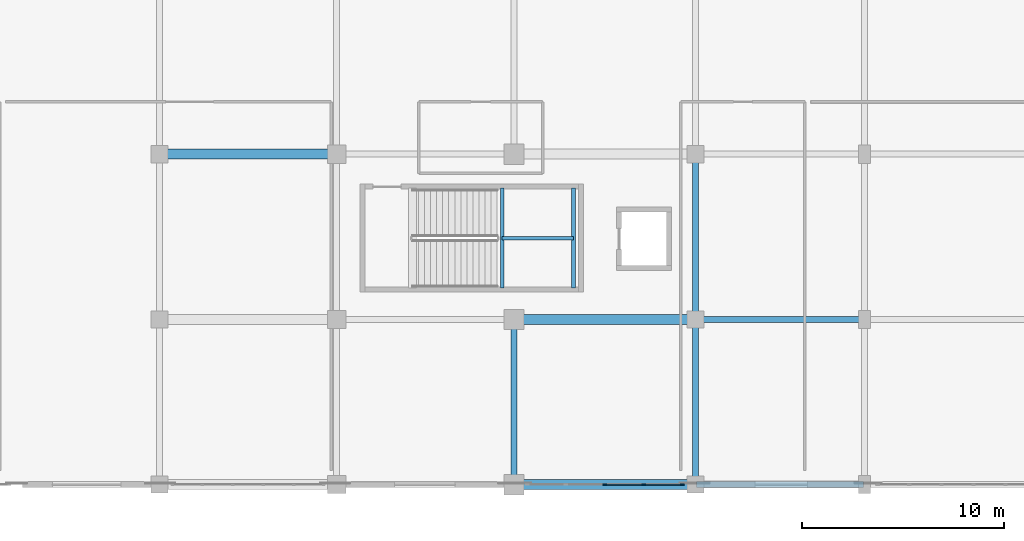
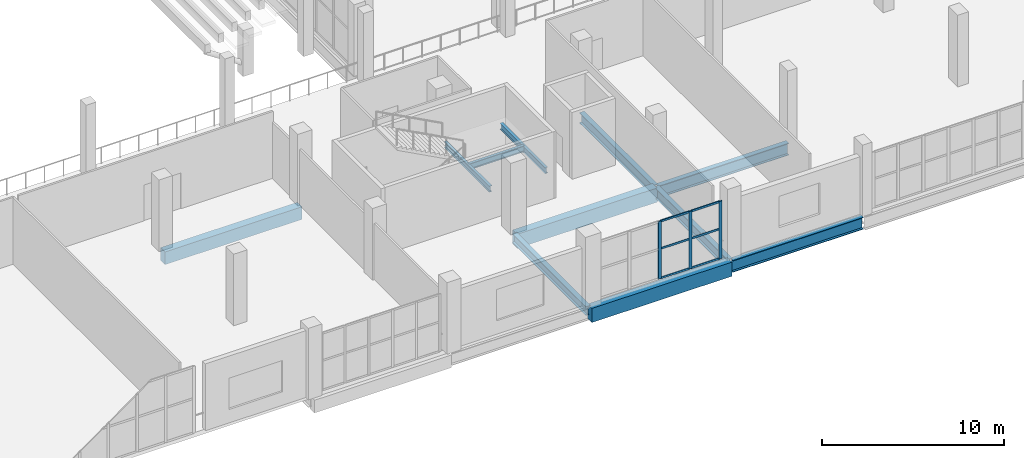
# One storey, part 41 of 142: 11 beams, 9 members, 1 element without a shape of its own.
"""IFC4 building model written with IfcOpenShell, lengths in metres."""

import ifcopenshell
import ifcopenshell.guid

model = None  # the IFC model being written
_history = None  # IfcOwnerHistory: only IFC2X3 demands one
_inside = {}  # id of a spatial element -> (the spatial element, [elements in it])
_under = {}  # id of a project, library or spatial element -> (it, [spatial elements below it])
_declared = {}  # id of a project -> (the project, [libraries it declares])
_typed = {}  # id of a type object -> (the type object, [elements of that type])
_made_of = {}  # id of a material, layer set ... -> (it, [elements and type objects made of it])


def new_model(schema):
    """Start an empty IFC model of exactly this schema.

    Asked for "IFC4X3", IfcOpenShell would pick the latest addendum, in which some entities
    have other attributes; the version numbers below select the first issue.
    IFC2X3 requires an IfcOwnerHistory on every rooted entity: one is made here for all.
    """
    global model, _history
    if schema == "IFC4X3":
        model = ifcopenshell.file(schema_version=(4, 3, 0, 0))
    else:
        model = ifcopenshell.file(schema=schema)
    _inside.clear()
    _under.clear()
    _declared.clear()
    _typed.clear()
    _made_of.clear()
    _history = None
    if model.schema == "IFC2X3":
        org = make("IfcOrganization", Name="unknown")
        user = make(
            "IfcPersonAndOrganization",
            ThePerson=make("IfcPerson", FamilyName="unknown"),
            TheOrganization=org,
        )
        app = make(
            "IfcApplication",
            ApplicationDeveloper=org,
            Version="unknown",
            ApplicationFullName="unknown",
            ApplicationIdentifier="unknown",
        )
        _history = make(
            "IfcOwnerHistory",
            OwningUser=user,
            OwningApplication=app,
            ChangeAction="ADDED",
            CreationDate=0,
        )
    return model


def make(cls, **values):
    """One entity of the class cls with the attributes given. An attribute that is None is left unset."""
    return model.create_entity(
        cls, **{name: value for name, value in values.items() if value is not None}
    )


def rooted(cls, **values):
    """An entity with a GlobalId (a new one), such as an element, a storey or a relation."""
    return make(cls, GlobalId=ifcopenshell.guid.new(), OwnerHistory=_history, **values)


def si_unit(unit_type, name, prefix=None):
    """IfcSIUnit, for example si_unit("LENGTHUNIT", "METRE", prefix="MILLI")."""
    return make("IfcSIUnit", UnitType=unit_type, Prefix=prefix, Name=name)


def assignment(units):
    """IfcUnitAssignment: the units of a project."""
    return None if units is None else make("IfcUnitAssignment", Units=units)


def point(xyz):
    """IfcCartesianPoint."""
    return None if xyz is None else make("IfcCartesianPoint", Coordinates=xyz)


def direction(xyz):
    """IfcDirection."""
    return None if xyz is None else make("IfcDirection", DirectionRatios=xyz)


def frame(location, z_axis=None, x_axis=None):
    """IfcAxis2Placement3D, a coordinate frame: its origin and axes. An axis left out is left unset."""
    return make(
        "IfcAxis2Placement3D",
        Location=point(location),
        Axis=direction(z_axis),
        RefDirection=direction(x_axis),
    )


def frame_2d(location, x_axis=None):
    """IfcAxis2Placement2D, a coordinate frame in the plane: its origin and x axis."""
    return make(
        "IfcAxis2Placement2D", Location=point(location), RefDirection=direction(x_axis)
    )


def origin():
    """The frame at (0, 0, 0) with its axes left unset."""
    return frame((0.0, 0.0, 0.0))


def origin_2d():
    """The frame at (0, 0) in the plane with its x axis left unset."""
    return frame_2d((0.0, 0.0))


def place(relative_to, where):
    """IfcLocalPlacement: puts the frame where relative to a parent placement (None: the world)."""
    return make(
        "IfcLocalPlacement", PlacementRelTo=relative_to, RelativePlacement=where
    )


def context(
    kind, dimensions, precision=None, world=None, true_north=None, identifier=None
):
    """IfcGeometricRepresentationContext, for example the 3D "Model" context."""
    return make(
        "IfcGeometricRepresentationContext",
        ContextIdentifier=identifier,
        ContextType=kind,
        CoordinateSpaceDimension=dimensions,
        Precision=precision,
        WorldCoordinateSystem=world,
        TrueNorth=true_north,
    )


def subcontext(parent, identifier, kind, view, scale=None):
    """IfcGeometricRepresentationSubContext, for example "Body" below "Model"."""
    return make(
        "IfcGeometricRepresentationSubContext",
        ContextIdentifier=identifier,
        ContextType=kind,
        ParentContext=parent,
        TargetScale=scale,
        TargetView=view,
    )


def project(units=None, contexts=None):
    """IfcProject with its units and contexts."""
    return rooted(
        "IfcProject",
        Name="project",
        RepresentationContexts=contexts,
        UnitsInContext=assignment(units),
    )


def spatial(cls, under=None, at=None, **own):
    """A site, building, storey or space (cls), placed at a placement, below another one or the project."""
    s = rooted(cls, ObjectPlacement=at, **own)
    if under is not None:
        _under.setdefault(under.id(), (under, []))[1].append(s)
    return s


def profile(cls, at=None, kind="AREA", **sizes):
    """A parametric profile (cls). Its sizes go by their IFC names, for example OverallWidth=200.0."""
    return make(cls, ProfileType=kind, Position=at, **sizes)


def rectangle(**sizes):
    """IfcRectangleProfileDef."""
    return profile("IfcRectangleProfileDef", **sizes)


def i_section(**sizes):
    """IfcIShapeProfileDef."""
    return profile("IfcIShapeProfileDef", **sizes)


def extrude(swept, where, along, depth):
    """IfcExtrudedAreaSolid: the profile swept, set in the frame where, extruded along a direction by depth."""
    return make(
        "IfcExtrudedAreaSolid",
        SweptArea=swept,
        Position=where,
        ExtrudedDirection=direction(along),
        Depth=depth,
    )


def shape(context_of_items, identifier, shape_type, items):
    """IfcShapeRepresentation: the items that make up one representation, for example the "Body"."""
    return make(
        "IfcShapeRepresentation",
        ContextOfItems=context_of_items,
        RepresentationIdentifier=identifier,
        RepresentationType=shape_type,
        Items=items,
    )


def material(Name=None, Category=None):
    """IfcMaterial."""
    return make("IfcMaterial", Name=Name, Category=Category)


def material_profile(
    of_material, cross_section, Name=None, Category=None, Priority=None
):
    """IfcMaterialProfile: a cross section and its material."""
    return make(
        "IfcMaterialProfile",
        Name=Name,
        Material=of_material,
        Profile=cross_section,
        Priority=Priority,
        Category=Category,
    )


def profile_set(profiles, Name=None, composite=None):
    """IfcMaterialProfileSet."""
    return make(
        "IfcMaterialProfileSet",
        Name=Name,
        MaterialProfiles=profiles,
        CompositeProfile=composite,
    )


def made_of(thing, what):
    """Note that an element or type object is made of a material, layer set ...; save() writes the relation."""
    if what is not None:
        _made_of.setdefault(what.id(), (what, []))[1].append(thing)
    return thing


def type_object(cls, material=None, **own):
    """A type object (cls), such as IfcWallType, which elements share."""
    return made_of(rooted(cls, **own), material)


def element(
    cls,
    number,
    at=None,
    inside=None,
    cuts=None,
    type_object=None,
    material=None,
    context=None,
    identifier="Body",
    shape_type=None,
    held_by="IfcProductDefinitionShape",
    body=None,
    shapes=None,
    **own,
):
    """One element of the class cls, such as IfcWall. Its Tag is "e" and its number.

    at: its placement. inside: the storey or other place that contains it. cuts: it is an
    opening in that element (IfcRelVoidsElement). A single representation is given by context,
    identifier, shape_type and body (its items); several are given by shapes. held_by: the class
    of the entity that holds the representations. save() writes the other relations.
    """
    e = rooted(cls, Tag="e%d" % number, ObjectPlacement=at, **own)
    if body is not None:
        shapes = [shape(context, identifier, shape_type, body)]
    if shapes is not None:
        e.Representation = make(held_by, Representations=shapes)
    if inside is not None:
        _inside.setdefault(inside.id(), (inside, []))[1].append(e)
    if cuts is not None:
        rooted(
            "IfcRelVoidsElement", RelatingBuildingElement=cuts, RelatedOpeningElement=e
        )
    if type_object is not None:
        _typed.setdefault(type_object.id(), (type_object, []))[1].append(e)
    return made_of(e, material)


def aggregate(whole, parts):
    """IfcRelAggregates: a whole, such as a stair, and the parts it consists of."""
    return rooted("IfcRelAggregates", RelatingObject=whole, RelatedObjects=parts)


def save(model, path):
    """Write the relations noted so far, then the file.

    IfcRelAggregates (storeys below a building ...), IfcRelContainedInSpatialStructure (elements
    in a storey), IfcRelDefinesByType, IfcRelAssociatesMaterial and IfcRelDeclares: one each for
    every whole, place, type object, material and project.
    """
    for whole, parts in _under.values():
        aggregate(whole, parts)
    for where, things in _inside.values():
        rooted(
            "IfcRelContainedInSpatialStructure",
            RelatedElements=things,
            RelatingStructure=where,
        )
    for kind, things in _typed.values():
        rooted("IfcRelDefinesByType", RelatedObjects=things, RelatingType=kind)
    for what, things in _made_of.values():
        rooted("IfcRelAssociatesMaterial", RelatedObjects=things, RelatingMaterial=what)
    for by, libraries in _declared.values():
        rooted("IfcRelDeclares", RelatingContext=by, RelatedDefinitions=libraries)
    model.write(path)


model = new_model("IFC4")

# Units and contexts
model_context = context("Model", 3, precision=1e-05, world=origin(), true_north=direction((0.0, 1.0)))
body_context = subcontext(model_context, "Body", "Model", "MODEL_VIEW")
ifc_project = project(units=[si_unit("LENGTHUNIT", "METRE"), si_unit("AREAUNIT", "SQUARE_METRE"), si_unit("VOLUMEUNIT", "CUBIC_METRE"), si_unit("PLANEANGLEUNIT", "RADIAN"), si_unit("MASSUNIT", "GRAM", prefix="KILO")], contexts=[model_context])

# Site, building, storey
site_placement = place(None, origin())
site = spatial("IfcSite", under=ifc_project, at=site_placement, CompositionType="ELEMENT")
building_placement = place(site_placement, origin())
building = spatial("IfcBuilding", under=site, at=building_placement, Name="Koshinbarg Plaza Stadium", CompositionType="ELEMENT")
storey_placement = place(building_placement, frame((0.0, 0.0, 10.199951171875)))
storey = spatial("IfcBuildingStorey", under=building, at=storey_placement, Name="L02", CompositionType="ELEMENT", Elevation=10.199951171875)

# Beams
ifc_material_1 = material(Name="Concrete C40/50", Category="concrete")
ifc_material_profile_1 = material_profile(ifc_material_1, rectangle(XDim=0.5, YDim=0.85009765625, at=origin_2d()), Name="RC 500x850")
ifc_profile_set_1 = profile_set([ifc_material_profile_1], Name="Concrete C40/50")
beam_type_1 = type_object("IfcBeamType", Name="BM-RCG-05", PredefinedType="USERDEFINED", material=ifc_profile_set_1)
beam_1_placement = place(storey_placement, frame((162.860107421875, 16.39990234375, -0.724853515625), z_axis=(1.0, 0.0, 0.0), x_axis=(0.0, 1.0, 0.0)))
element("IfcBeam", 1, at=beam_1_placement, inside=storey, type_object=beam_type_1, Name="L02 X girder C/15-16", ObjectType="GIRDER", PredefinedType="USERDEFINED", context=body_context, shape_type="SweptSolid", body=[
    extrude(rectangle(XDim=0.5, YDim=0.85009765625, at=origin_2d()), origin(), (0.0, 0.0, 1.0), 8.679931640625),
])
ifc_material_profile_2 = material_profile(ifc_material_1, rectangle(XDim=0.5, YDim=0.949951171875, at=origin_2d()), Name="RC 500x950")
ifc_profile_set_2 = profile_set([ifc_material_profile_2], Name="Concrete C40/50")
beam_type_2 = type_object("IfcBeamType", Name="BM-RCG-06", PredefinedType="USERDEFINED", material=ifc_profile_set_2)
for number, where, z_axis, x_axis, name in (
    (2, (180.4599609375, 0.0, -0.77490234375), (1.0, 0.0, 0.0), (0.0, 1.0, 0.0), "L02 X girder A/17-18"),
    (3, (180.4599609375, 8.199951171875, -0.77490234375), (1.0, 0.0, 0.0), (0.0, 1.0, 0.0), "L02 X girder B/17-18"),
):
    element("IfcBeam", number, at=place(storey_placement, frame(where, z_axis=z_axis, x_axis=x_axis)), inside=storey, type_object=beam_type_2, Name=name, ObjectType="GIRDER", PredefinedType="USERDEFINED", context=body_context, shape_type="SweptSolid", body=[
        extrude(rectangle(XDim=0.5, YDim=0.949951171875, at=origin_2d()), origin(), (0.0, 0.0, 1.0), 8.880126953125),
    ])
ifc_material_2 = material(Name="Steel S355", Category="steel")
ifc_material_profile_3 = material_profile(ifc_material_2, i_section(OverallWidth=0.179931640625, OverallDepth=0.39990234375, WebThickness=0.008544921875, FlangeThickness=0.013427734375, at=origin_2d()), Name="IPE 400")
ifc_profile_set_3 = profile_set([ifc_material_profile_3], Name="Steel S355")
beam_type_3 = type_object("IfcBeamType", Name="BM-SBM-01", PredefinedType="BEAM", material=ifc_profile_set_3)
for number, where, z_axis, x_axis, name in (
    (4, (179.81005859375, 9.75, 1.880126953125), (0.0, 1.0, 0.0), (-1.0, 0.0, 0.0), "L02 Protected Exit Stair C14 landing trimmer beam 1"),
    (5, (183.35009765625, 9.75, 1.880126953125), (0.0, 1.0, 0.0), (-1.0, 0.0, 0.0), "L02 Protected Exit Stair C14 landing trimmer beam 2"),
):
    element("IfcBeam", number, at=place(storey_placement, frame(where, z_axis=z_axis, x_axis=x_axis)), inside=storey, type_object=beam_type_3, Name=name, PredefinedType="BEAM", context=body_context, shape_type="SweptSolid", body=[
        extrude(i_section(OverallWidth=0.179931640625, OverallDepth=0.39990234375, WebThickness=0.008544921875, FlangeThickness=0.013427734375, at=origin_2d()), origin(), (0.0, 0.0, 1.0), 4.969970703125),
    ])
beam_2_placement = place(storey_placement, frame((179.81005859375, 12.235107421875, 1.880126953125), z_axis=(1.0, 0.0, 0.0), x_axis=(0.0, 1.0, 0.0)))
element("IfcBeam", 6, at=beam_2_placement, inside=storey, type_object=beam_type_3, Name="L02 Protected Exit Stair C14 landing trimmer beam 3", PredefinedType="BEAM", context=body_context, shape_type="SweptSolid", body=[
    extrude(i_section(OverallWidth=0.179931640625, OverallDepth=0.39990234375, WebThickness=0.008544921875, FlangeThickness=0.013427734375, at=origin_2d()), origin(), (0.0, 0.0, 1.0), 3.5400390625),
])
ifc_material_profile_4 = material_profile(ifc_material_2, i_section(OverallWidth=0.300048828125, OverallDepth=0.60009765625, WebThickness=0.015380859375, FlangeThickness=0.030029296875, at=origin_2d()), Name="HEB 600")
ifc_profile_set_4 = profile_set([ifc_material_profile_4], Name="Steel S355")
beam_type_4 = type_object("IfcBeamType", Name="BM-SGIR-02", PredefinedType="USERDEFINED", material=ifc_profile_set_4)
beam_3_placement = place(storey_placement, frame((180.39990234375, 0.06005859375, -0.599853515625), z_axis=(0.0, 1.0, 0.0), x_axis=(-1.0, 0.0, 0.0)))
element("IfcBeam", 7, at=beam_3_placement, inside=storey, type_object=beam_type_4, Name="L02 Y girder 17/A-B", ObjectType="GIRDER", PredefinedType="USERDEFINED", context=body_context, shape_type="SweptSolid", body=[
    extrude(i_section(OverallWidth=0.300048828125, OverallDepth=0.60009765625, WebThickness=0.015380859375, FlangeThickness=0.030029296875, at=origin_2d()), origin(), (0.0, 0.0, 1.0), 8.079833984375),
])
ifc_material_profile_5 = material_profile(ifc_material_2, i_section(OverallWidth=0.300048828125, OverallDepth=0.699951171875, WebThickness=0.01708984375, FlangeThickness=0.031982421875, at=origin_2d()), Name="HEB 700")
ifc_profile_set_5 = profile_set([ifc_material_profile_5], Name="Steel S355")
beam_type_5 = type_object("IfcBeamType", Name="BM-SGIR-03", PredefinedType="USERDEFINED", material=ifc_profile_set_5)
beam_4_placement = place(storey_placement, frame((189.39990234375, 0.06005859375, -0.64990234375), z_axis=(0.0, 1.0, 0.0), x_axis=(-1.0, 0.0, 0.0)))
element("IfcBeam", 8, at=beam_4_placement, inside=storey, type_object=beam_type_5, Name="L02 Y girder 18/A-B", ObjectType="GIRDER", PredefinedType="USERDEFINED", context=body_context, shape_type="SweptSolid", body=[
    extrude(i_section(OverallWidth=0.300048828125, OverallDepth=0.699951171875, WebThickness=0.01708984375, FlangeThickness=0.031982421875, at=origin_2d()), origin(), (0.0, 0.0, 1.0), 8.079833984375),
])
beam_5_placement = place(storey_placement, frame((189.39990234375, 8.260009765625, -0.64990234375), z_axis=(0.0, 1.0, 0.0), x_axis=(-1.0, 0.0, 0.0)))
element("IfcBeam", 9, at=beam_5_placement, inside=storey, type_object=beam_type_5, Name="L02 Y girder 18/B-C", ObjectType="GIRDER", PredefinedType="USERDEFINED", context=body_context, shape_type="SweptSolid", body=[
    extrude(i_section(OverallWidth=0.300048828125, OverallDepth=0.699951171875, WebThickness=0.01708984375, FlangeThickness=0.031982421875, at=origin_2d()), origin(), (0.0, 0.0, 1.0), 8.080078125),
])
ifc_material_profile_6 = material_profile(ifc_material_2, i_section(OverallWidth=0.300048828125, OverallDepth=0.800048828125, WebThickness=0.017578125, FlangeThickness=0.032958984375, at=origin_2d()), Name="HEB 800")
ifc_profile_set_6 = profile_set([ifc_material_profile_6], Name="Steel S355")
beam_type_6 = type_object("IfcBeamType", Name="BM-SGIR-04", PredefinedType="USERDEFINED", material=ifc_profile_set_6)
for number, where, z_axis, x_axis, name in (
    (10, (189.4599609375, 0.0, -0.699951171875), (1.0, 0.0, 0.0), (0.0, 1.0, 0.0), "L02 X girder A/18-19"),
    (11, (189.4599609375, 8.199951171875, -0.699951171875), (1.0, 0.0, 0.0), (0.0, 1.0, 0.0), "L02 X girder B/18-19"),
):
    element("IfcBeam", number, at=place(storey_placement, frame(where, z_axis=z_axis, x_axis=x_axis)), inside=storey, type_object=beam_type_6, Name=name, ObjectType="GIRDER", PredefinedType="USERDEFINED", context=body_context, shape_type="SweptSolid", body=[
        extrude(i_section(OverallWidth=0.300048828125, OverallDepth=0.800048828125, WebThickness=0.017578125, FlangeThickness=0.032958984375, at=origin_2d()), origin(), (0.0, 0.0, 1.0), 8.280029296875),
    ])

# Curtain wall, members
ifc_material_3 = material(Name="Thermally broken anodised aluminium and low-E double glazing", Category="aluminium")
curtain_wall_type = type_object("IfcCurtainWallType", Name="CW-SYS-16", PredefinedType="NOTDEFINED", material=ifc_material_3)
curtain_wall_placement = place(storey_placement, origin())
curtain_wall = element("IfcCurtainWall", 12, at=curtain_wall_placement, inside=storey, type_object=curtain_wall_type, Name="L02 unitised curtain wall CW-L02-063", PredefinedType="NOTDEFINED")
ifc_material_4 = material(Name="Anodised aluminium mullion", Category="aluminium")
ifc_material_profile_7 = material_profile(ifc_material_4, rectangle(XDim=0.070068359375, YDim=0.199951171875, at=origin_2d()), Name="ALU 70x200")
ifc_profile_set_7 = profile_set([ifc_material_profile_7], Name="Anodised aluminium mullion")
member_type_1 = type_object("IfcMemberType", Name="CW-MUL-04", PredefinedType="MULLION", material=ifc_profile_set_7)
member_1_placement = place(storey_placement, frame((188.75, 0.0, 0.0), z_axis=(0.0, 0.0, 1.0), x_axis=(0.0, -1.0, 0.0)))
member_1 = element("IfcMember", 13, at=member_1_placement, type_object=member_type_1, Name="CW16 mullion 1", PredefinedType="MULLION", context=body_context, shape_type="SweptSolid", body=[
    extrude(rectangle(XDim=0.070068359375, YDim=0.199951171875, at=origin_2d()), origin(), (0.0, 0.0, 1.0), 3.860107421875),
])
member_2_placement = place(storey_placement, frame((186.840087890625, 0.0, 0.0), z_axis=(0.0, 0.0, 1.0), x_axis=(0.0, -1.0, 0.0)))
member_2 = element("IfcMember", 14, at=member_2_placement, type_object=member_type_1, Name="CW16 mullion 2", PredefinedType="MULLION", context=body_context, shape_type="SweptSolid", body=[
    extrude(rectangle(XDim=0.070068359375, YDim=0.199951171875, at=origin_2d()), origin(), (0.0, 0.0, 1.0), 3.860107421875),
])
member_3_placement = place(storey_placement, frame((184.89990234375, 0.0, 0.0), z_axis=(0.0, 0.0, 1.0), x_axis=(0.0, -1.0, 0.0)))
member_3 = element("IfcMember", 15, at=member_3_placement, type_object=member_type_1, Name="CW16 mullion 3", PredefinedType="MULLION", context=body_context, shape_type="SweptSolid", body=[
    extrude(rectangle(XDim=0.070068359375, YDim=0.199951171875, at=origin_2d()), origin(), (0.0, 0.0, 1.0), 3.860107421875),
])
ifc_material_5 = material(Name="Anodised aluminium transom", Category="aluminium")
ifc_material_profile_8 = material_profile(ifc_material_5, rectangle(XDim=0.06005859375, YDim=0.1298828125, at=origin_2d()), Name="ALU 60x130")
ifc_profile_set_8 = profile_set([ifc_material_profile_8], Name="Anodised aluminium transom")
member_type_2 = type_object("IfcMemberType", Name="CW-TRN-02", PredefinedType="USERDEFINED", material=ifc_profile_set_8)
member_4_placement = place(storey_placement, frame((188.719970703125, 0.0, 0.030029296875), z_axis=(-1.0, 0.0, 0.0), x_axis=(0.0, -1.0, 0.0)))
member_4 = element("IfcMember", 16, at=member_4_placement, type_object=member_type_2, Name="CW16 transom 1.1", ObjectType="TRANSOM", PredefinedType="USERDEFINED", context=body_context, shape_type="SweptSolid", body=[
    extrude(rectangle(XDim=0.06005859375, YDim=0.1298828125, at=origin_2d()), origin(), (0.0, 0.0, 1.0), 1.849853515625),
])
member_5_placement = place(storey_placement, frame((188.719970703125, 0.0, 2.00732421875), z_axis=(-1.0, 0.0, 0.0), x_axis=(0.0, -1.0, 0.0)))
member_5 = element("IfcMember", 17, at=member_5_placement, type_object=member_type_2, Name="CW16 transom 1.2", ObjectType="TRANSOM", PredefinedType="USERDEFINED", context=body_context, shape_type="SweptSolid", body=[
    extrude(rectangle(XDim=0.06005859375, YDim=0.1298828125, at=origin_2d()), origin(), (0.0, 0.0, 1.0), 1.849853515625),
])
member_6_placement = place(storey_placement, frame((188.719970703125, 0.0, 3.830078125), z_axis=(-1.0, 0.0, 0.0), x_axis=(0.0, -1.0, 0.0)))
member_6 = element("IfcMember", 18, at=member_6_placement, type_object=member_type_2, Name="CW16 transom 1.3", ObjectType="TRANSOM", PredefinedType="USERDEFINED", context=body_context, shape_type="SweptSolid", body=[
    extrude(rectangle(XDim=0.06005859375, YDim=0.1298828125, at=origin_2d()), origin(), (0.0, 0.0, 1.0), 1.849853515625),
])
member_7_placement = place(storey_placement, frame((186.81005859375, 0.0, 0.030029296875), z_axis=(-1.0, 0.0, 0.0), x_axis=(0.0, -1.0, 0.0)))
member_7 = element("IfcMember", 19, at=member_7_placement, type_object=member_type_2, Name="CW16 transom 2.1", ObjectType="TRANSOM", PredefinedType="USERDEFINED", context=body_context, shape_type="SweptSolid", body=[
    extrude(rectangle(XDim=0.06005859375, YDim=0.1298828125, at=origin_2d()), origin(), (0.0, 0.0, 1.0), 1.880126953125),
])
member_8_placement = place(storey_placement, frame((186.81005859375, 0.0, 2.00732421875), z_axis=(-1.0, 0.0, 0.0), x_axis=(0.0, -1.0, 0.0)))
member_8 = element("IfcMember", 20, at=member_8_placement, type_object=member_type_2, Name="CW16 transom 2.2", ObjectType="TRANSOM", PredefinedType="USERDEFINED", context=body_context, shape_type="SweptSolid", body=[
    extrude(rectangle(XDim=0.06005859375, YDim=0.1298828125, at=origin_2d()), origin(), (0.0, 0.0, 1.0), 1.880126953125),
])
member_9_placement = place(storey_placement, frame((186.81005859375, 0.0, 3.830078125), z_axis=(-1.0, 0.0, 0.0), x_axis=(0.0, -1.0, 0.0)))
member_9 = element("IfcMember", 21, at=member_9_placement, type_object=member_type_2, Name="CW16 transom 2.3", ObjectType="TRANSOM", PredefinedType="USERDEFINED", context=body_context, shape_type="SweptSolid", body=[
    extrude(rectangle(XDim=0.06005859375, YDim=0.1298828125, at=origin_2d()), origin(), (0.0, 0.0, 1.0), 1.880126953125),
])
aggregate(curtain_wall, [member_1, member_2, member_3, member_4, member_5, member_6, member_7, member_8, member_9])

save(model, "model.ifc")
